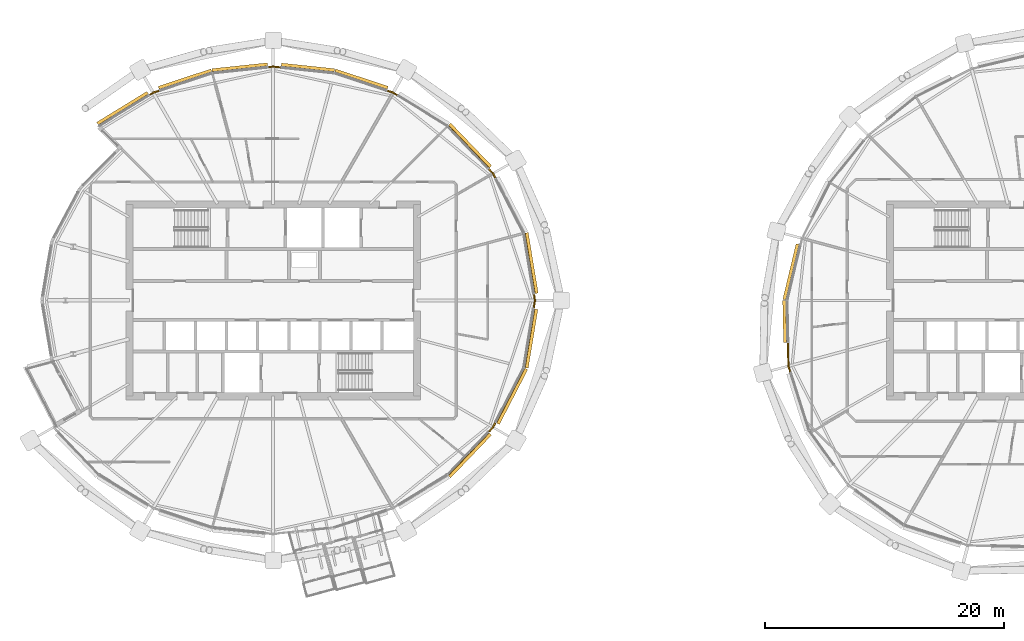
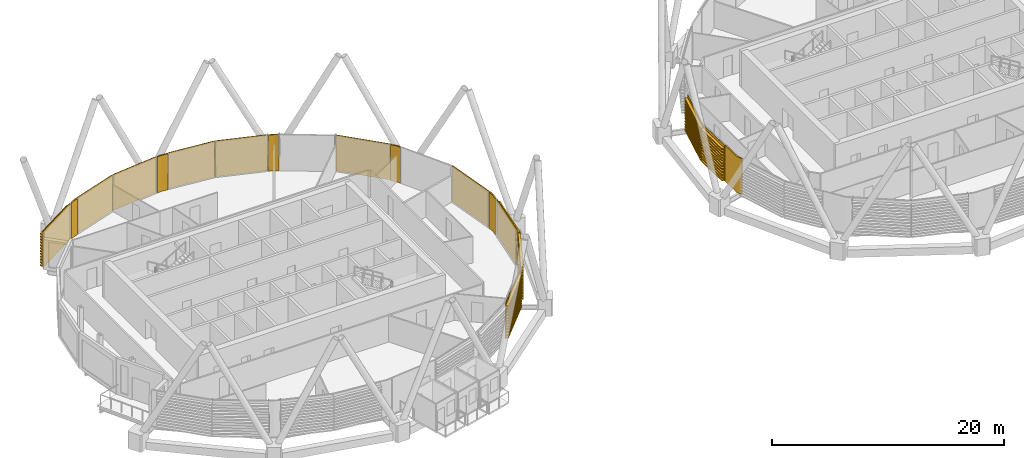
# One storey, part 32 of 35: 19 coverings.
"""IFC4 building model written with IfcOpenShell, lengths in metres."""

import ifcopenshell
import ifcopenshell.guid

model = None  # the IFC model being written
_history = None  # IfcOwnerHistory: only IFC2X3 demands one
_inside = {}  # id of a spatial element -> (the spatial element, [elements in it])
_under = {}  # id of a project, library or spatial element -> (it, [spatial elements below it])
_declared = {}  # id of a project -> (the project, [libraries it declares])
_typed = {}  # id of a type object -> (the type object, [elements of that type])
_made_of = {}  # id of a material, layer set ... -> (it, [elements and type objects made of it])


def new_model(schema):
    """Start an empty IFC model of exactly this schema.

    Asked for "IFC4X3", IfcOpenShell would pick the latest addendum, in which some entities
    have other attributes; the version numbers below select the first issue.
    IFC2X3 requires an IfcOwnerHistory on every rooted entity: one is made here for all.
    """
    global model, _history
    if schema == "IFC4X3":
        model = ifcopenshell.file(schema_version=(4, 3, 0, 0))
    else:
        model = ifcopenshell.file(schema=schema)
    _inside.clear()
    _under.clear()
    _declared.clear()
    _typed.clear()
    _made_of.clear()
    _history = None
    if model.schema == "IFC2X3":
        org = make("IfcOrganization", Name="unknown")
        user = make(
            "IfcPersonAndOrganization",
            ThePerson=make("IfcPerson", FamilyName="unknown"),
            TheOrganization=org,
        )
        app = make(
            "IfcApplication",
            ApplicationDeveloper=org,
            Version="unknown",
            ApplicationFullName="unknown",
            ApplicationIdentifier="unknown",
        )
        _history = make(
            "IfcOwnerHistory",
            OwningUser=user,
            OwningApplication=app,
            ChangeAction="ADDED",
            CreationDate=0,
        )
    return model


def make(cls, **values):
    """One entity of the class cls with the attributes given. An attribute that is None is left unset."""
    return model.create_entity(
        cls, **{name: value for name, value in values.items() if value is not None}
    )


def rooted(cls, **values):
    """An entity with a GlobalId (a new one), such as an element, a storey or a relation."""
    return make(cls, GlobalId=ifcopenshell.guid.new(), OwnerHistory=_history, **values)


def si_unit(unit_type, name, prefix=None):
    """IfcSIUnit, for example si_unit("LENGTHUNIT", "METRE", prefix="MILLI")."""
    return make("IfcSIUnit", UnitType=unit_type, Prefix=prefix, Name=name)


def assignment(units):
    """IfcUnitAssignment: the units of a project."""
    return None if units is None else make("IfcUnitAssignment", Units=units)


def point(xyz):
    """IfcCartesianPoint."""
    return None if xyz is None else make("IfcCartesianPoint", Coordinates=xyz)


def direction(xyz):
    """IfcDirection."""
    return None if xyz is None else make("IfcDirection", DirectionRatios=xyz)


def frame(location, z_axis=None, x_axis=None):
    """IfcAxis2Placement3D, a coordinate frame: its origin and axes. An axis left out is left unset."""
    return make(
        "IfcAxis2Placement3D",
        Location=point(location),
        Axis=direction(z_axis),
        RefDirection=direction(x_axis),
    )


def origin():
    """The frame at (0, 0, 0) with its axes left unset."""
    return frame((0.0, 0.0, 0.0))


def place(relative_to, where):
    """IfcLocalPlacement: puts the frame where relative to a parent placement (None: the world)."""
    return make(
        "IfcLocalPlacement", PlacementRelTo=relative_to, RelativePlacement=where
    )


def context(
    kind, dimensions, precision=None, world=None, true_north=None, identifier=None
):
    """IfcGeometricRepresentationContext, for example the 3D "Model" context."""
    return make(
        "IfcGeometricRepresentationContext",
        ContextIdentifier=identifier,
        ContextType=kind,
        CoordinateSpaceDimension=dimensions,
        Precision=precision,
        WorldCoordinateSystem=world,
        TrueNorth=true_north,
    )


def subcontext(parent, identifier, kind, view, scale=None):
    """IfcGeometricRepresentationSubContext, for example "Body" below "Model"."""
    return make(
        "IfcGeometricRepresentationSubContext",
        ContextIdentifier=identifier,
        ContextType=kind,
        ParentContext=parent,
        TargetScale=scale,
        TargetView=view,
    )


def project(units=None, contexts=None):
    """IfcProject with its units and contexts."""
    return rooted(
        "IfcProject",
        Name="project",
        RepresentationContexts=contexts,
        UnitsInContext=assignment(units),
    )


def spatial(cls, under=None, at=None, **own):
    """A site, building, storey or space (cls), placed at a placement, below another one or the project."""
    s = rooted(cls, ObjectPlacement=at, **own)
    if under is not None:
        _under.setdefault(under.id(), (under, []))[1].append(s)
    return s


def polyline(points):
    """IfcPolyline through the points."""
    return make("IfcPolyline", Points=[point(p) for p in points])


def outline(outer, holes=None, kind="AREA"):
    """IfcArbitraryClosedProfileDef: a profile drawn as a closed curve; with holes, ...WithVoids."""
    if holes is None:
        return make("IfcArbitraryClosedProfileDef", ProfileType=kind, OuterCurve=outer)
    return make(
        "IfcArbitraryProfileDefWithVoids",
        ProfileType=kind,
        OuterCurve=outer,
        InnerCurves=holes,
    )


def extrude(swept, where, along, depth):
    """IfcExtrudedAreaSolid: the profile swept, set in the frame where, extruded along a direction by depth."""
    return make(
        "IfcExtrudedAreaSolid",
        SweptArea=swept,
        Position=where,
        ExtrudedDirection=direction(along),
        Depth=depth,
    )


def shape(context_of_items, identifier, shape_type, items):
    """IfcShapeRepresentation: the items that make up one representation, for example the "Body"."""
    return make(
        "IfcShapeRepresentation",
        ContextOfItems=context_of_items,
        RepresentationIdentifier=identifier,
        RepresentationType=shape_type,
        Items=items,
    )


def material(Name=None, Category=None):
    """IfcMaterial."""
    return make("IfcMaterial", Name=Name, Category=Category)


def layer(
    of_material, thickness, ventilated=None, Name=None, Category=None, Priority=None
):
    """IfcMaterialLayer: one layer of a wall or slab, of a material (None: an air gap)."""
    return make(
        "IfcMaterialLayer",
        Material=of_material,
        LayerThickness=thickness,
        IsVentilated=ventilated,
        Name=Name,
        Category=Category,
        Priority=Priority,
    )


def layer_set(layers, Name=None):
    """IfcMaterialLayerSet."""
    return make("IfcMaterialLayerSet", MaterialLayers=layers, LayerSetName=Name)


def material_profile(
    of_material, cross_section, Name=None, Category=None, Priority=None
):
    """IfcMaterialProfile: a cross section and its material."""
    return make(
        "IfcMaterialProfile",
        Name=Name,
        Material=of_material,
        Profile=cross_section,
        Priority=Priority,
        Category=Category,
    )


def profile_set(profiles, Name=None, composite=None):
    """IfcMaterialProfileSet."""
    return make(
        "IfcMaterialProfileSet",
        Name=Name,
        MaterialProfiles=profiles,
        CompositeProfile=composite,
    )


def made_of(thing, what):
    """Note that an element or type object is made of a material, layer set ...; save() writes the relation."""
    if what is not None:
        _made_of.setdefault(what.id(), (what, []))[1].append(thing)
    return thing


def type_object(cls, material=None, **own):
    """A type object (cls), such as IfcWallType, which elements share."""
    return made_of(rooted(cls, **own), material)


def element(
    cls,
    number,
    at=None,
    inside=None,
    cuts=None,
    type_object=None,
    material=None,
    context=None,
    identifier="Body",
    shape_type=None,
    held_by="IfcProductDefinitionShape",
    body=None,
    shapes=None,
    **own,
):
    """One element of the class cls, such as IfcWall. Its Tag is "e" and its number.

    at: its placement. inside: the storey or other place that contains it. cuts: it is an
    opening in that element (IfcRelVoidsElement). A single representation is given by context,
    identifier, shape_type and body (its items); several are given by shapes. held_by: the class
    of the entity that holds the representations. save() writes the other relations.
    """
    e = rooted(cls, Tag="e%d" % number, ObjectPlacement=at, **own)
    if body is not None:
        shapes = [shape(context, identifier, shape_type, body)]
    if shapes is not None:
        e.Representation = make(held_by, Representations=shapes)
    if inside is not None:
        _inside.setdefault(inside.id(), (inside, []))[1].append(e)
    if cuts is not None:
        rooted(
            "IfcRelVoidsElement", RelatingBuildingElement=cuts, RelatedOpeningElement=e
        )
    if type_object is not None:
        _typed.setdefault(type_object.id(), (type_object, []))[1].append(e)
    return made_of(e, material)


def aggregate(whole, parts):
    """IfcRelAggregates: a whole, such as a stair, and the parts it consists of."""
    return rooted("IfcRelAggregates", RelatingObject=whole, RelatedObjects=parts)


def save(model, path):
    """Write the relations noted so far, then the file.

    IfcRelAggregates (storeys below a building ...), IfcRelContainedInSpatialStructure (elements
    in a storey), IfcRelDefinesByType, IfcRelAssociatesMaterial and IfcRelDeclares: one each for
    every whole, place, type object, material and project.
    """
    for whole, parts in _under.values():
        aggregate(whole, parts)
    for where, things in _inside.values():
        rooted(
            "IfcRelContainedInSpatialStructure",
            RelatedElements=things,
            RelatingStructure=where,
        )
    for kind, things in _typed.values():
        rooted("IfcRelDefinesByType", RelatedObjects=things, RelatingType=kind)
    for what, things in _made_of.values():
        rooted("IfcRelAssociatesMaterial", RelatedObjects=things, RelatingMaterial=what)
    for by, libraries in _declared.values():
        rooted("IfcRelDeclares", RelatingContext=by, RelatedDefinitions=libraries)
    model.write(path)


model = new_model("IFC4")

# Units and contexts
model_context = context("Model", 3, precision=1e-05, world=origin(), true_north=direction((0.0, 1.0)))
body_context = subcontext(model_context, "Body", "Model", "MODEL_VIEW")
ifc_project = project(units=[si_unit("LENGTHUNIT", "METRE"), si_unit("AREAUNIT", "SQUARE_METRE"), si_unit("VOLUMEUNIT", "CUBIC_METRE"), si_unit("PLANEANGLEUNIT", "RADIAN"), si_unit("MASSUNIT", "GRAM", prefix="KILO")], contexts=[model_context])

# Site, building, storey
site_placement = place(None, origin())
site = spatial("IfcSite", under=ifc_project, at=site_placement, CompositionType="ELEMENT")
building_placement = place(site_placement, origin())
building = spatial("IfcBuilding", under=site, at=building_placement, Name="Rimbun Link Towers", CompositionType="ELEMENT")
storey_placement = place(building_placement, frame((0.0, 0.0, 181.699951171875)))
storey = spatial("IfcBuildingStorey", under=building, at=storey_placement, Name="L44", CompositionType="ELEMENT", Elevation=181.699951171875)

# Coverings
ifc_material_1 = material(Name="Terracotta", Category="masonry")
ifc_layer = layer(ifc_material_1, 0.1201171875)
ifc_layer_set = layer_set([ifc_layer], Name="LINK PIER terracotta cladding 120")
covering_type_1 = type_object("IfcCoveringType", Name="LINK PIER terracotta cladding 120", PredefinedType="CLADDING", material=ifc_layer_set)
covering_1_placement = place(storey_placement, origin())
element("IfcCovering", 1, at=covering_1_placement, inside=storey, type_object=covering_type_1, Name="LINK PIER cladding", PredefinedType="CLADDING", context=body_context, shape_type="SweptSolid", body=[
    extrude(outline(polyline([(-10.033447265625, 0.51318359375), (-9.948974609375, 0.0), (-10.0576171875, -0.6611328125), (-9.939208984375, -0.6806640625), (-9.827392578125, 0.0), (-9.9150390625, 0.532470703125), (-10.033447265625, 0.51318359375)])), origin(), (0.0, 0.0, 1.0), 3.800048828125),
])
covering_2_placement = place(storey_placement, origin())
element("IfcCovering", 2, at=covering_2_placement, inside=storey, type_object=covering_type_1, Name="LINK PIER cladding", PredefinedType="CLADDING", context=body_context, shape_type="SweptSolid", body=[
    extrude(outline(polyline([(-13.802978515625, 10.945068359375), (-13.443115234375, 10.569580078125), (-13.25, 10.196533203125), (-13.143310546875, 10.251708984375), (-13.344482421875, 10.64013671875), (-13.71630859375, 11.028076171875), (-13.802978515625, 10.945068359375)])), origin(), (0.0, 0.0, 1.0), 3.800048828125),
])
covering_3_placement = place(storey_placement, origin())
element("IfcCovering", 3, at=covering_3_placement, inside=storey, type_object=covering_type_1, Name="LINK PIER cladding", PredefinedType="CLADDING", context=body_context, shape_type="SweptSolid", body=[
    extrude(outline(polyline([(-22.25439453125, 17.465087890625), (-21.760986328125, 17.301513671875), (-21.403076171875, 17.081787109375), (-21.340087890625, 17.18408203125), (-21.7099609375, 17.4111328125), (-22.216796875, 17.5791015625), (-22.25439453125, 17.465087890625)])), origin(), (0.0, 0.0, 1.0), 3.800048828125),
])
covering_4_placement = place(storey_placement, origin())
element("IfcCovering", 4, at=covering_4_placement, inside=storey, type_object=covering_type_1, Name="LINK PIER cladding", PredefinedType="CLADDING", context=body_context, shape_type="SweptSolid", body=[
    extrude(outline(polyline([(-32.167724609375, 19.421142578125), (-31.75, 19.465087890625), (-31.13330078125, 19.400146484375), (-31.120849609375, 19.51953125), (-31.75, 19.5859375), (-32.18017578125, 19.54052734375), (-32.167724609375, 19.421142578125)])), origin(), (0.0, 0.0, 1.0), 3.800048828125),
])
covering_5_placement = place(storey_placement, origin())
element("IfcCovering", 5, at=covering_5_placement, inside=storey, type_object=covering_type_1, Name="LINK PIER cladding", PredefinedType="CLADDING", context=body_context, shape_type="SweptSolid", body=[
    extrude(outline(polyline([(-42.054443359375, 17.10791015625), (-41.739013671875, 17.301513671875), (-41.24560546875, 17.465087890625), (-41.283203125, 17.5791015625), (-41.7900390625, 17.4111328125), (-42.1171875, 17.210205078125), (-42.054443359375, 17.10791015625)])), origin(), (0.0, 0.0, 1.0), 3.800048828125),
])
covering_6_placement = place(storey_placement, origin())
element("IfcCovering", 6, at=covering_6_placement, inside=storey, type_object=covering_type_1, Name="LINK PIER cladding", PredefinedType="CLADDING", context=body_context, shape_type="SweptSolid", body=[
    extrude(outline(polyline([(-13.25, -10.196533203125), (-13.443115234375, -10.569580078125), (-13.802978515625, -10.945068359375), (-13.71630859375, -11.028076171875), (-13.344482421875, -10.64013671875), (-13.143310546875, -10.251708984375), (-13.25, -10.196533203125)])), origin(), (0.0, 0.0, 1.0), 3.800048828125),
])
covering_7_placement = place(storey_placement, origin())
element("IfcCovering", 7, at=covering_7_placement, inside=storey, type_object=covering_type_1, Name="LINK PIER cladding", PredefinedType="CLADDING", context=body_context, shape_type="SweptSolid", body=[
    extrude(outline(polyline([(11.50390625, -6.014404296875), (11.331298828125, -5.47119140625), (11.290771484375, -3.551513671875), (11.170654296875, -3.55419921875), (11.211669921875, -5.490966796875), (11.3896484375, -6.05078125), (11.50390625, -6.014404296875)])), origin(), (0.0, 0.0, 1.0), 3.800048828125),
])
ifc_material_2 = material(Name="Terracotta", Category="masonry")
ifc_material_profile = material_profile(ifc_material_2, outline(polyline([(0.123046875, 0.0), (0.1630859375, 0.0), (0.1630859375, 0.10009765625), (0.423095703125, 0.10009765625), (0.423095703125, 0.219970703125), (0.1630859375, 0.219970703125), (0.1630859375, 0.39990234375), (0.423095703125, 0.39990234375), (0.423095703125, 0.52001953125), (0.1630859375, 0.52001953125), (0.1630859375, 0.699951171875), (0.423095703125, 0.699951171875), (0.423095703125, 0.820068359375), (0.1630859375, 0.820068359375), (0.1630859375, 1.0), (0.423095703125, 1.0), (0.423095703125, 1.1201171875), (0.1630859375, 1.1201171875), (0.1630859375, 1.300048828125), (0.423095703125, 1.300048828125), (0.423095703125, 1.419921875), (0.1630859375, 1.419921875), (0.1630859375, 1.60009765625), (0.423095703125, 1.60009765625), (0.423095703125, 1.719970703125), (0.1630859375, 1.719970703125), (0.1630859375, 1.89990234375), (0.423095703125, 1.89990234375), (0.423095703125, 2.02001953125), (0.1630859375, 2.02001953125), (0.1630859375, 2.199951171875), (0.423095703125, 2.199951171875), (0.423095703125, 2.320068359375), (0.1630859375, 2.320068359375), (0.1630859375, 2.5), (0.423095703125, 2.5), (0.423095703125, 2.6201171875), (0.1630859375, 2.6201171875), (0.1630859375, 2.800048828125), (0.423095703125, 2.800048828125), (0.423095703125, 2.919921875), (0.1630859375, 2.919921875), (0.1630859375, 3.10009765625), (0.423095703125, 3.10009765625), (0.423095703125, 3.219970703125), (0.1630859375, 3.219970703125), (0.1630859375, 3.39990234375), (0.423095703125, 3.39990234375), (0.423095703125, 3.52001953125), (0.1630859375, 3.52001953125), (0.1630859375, 3.800048828125), (0.123046875, 3.800048828125), (0.123046875, 0.0)])), Name="BAGUETTE 120X300")
ifc_profile_set = profile_set([ifc_material_profile], Name="Terracotta")
covering_type_2 = type_object("IfcCoveringType", Name="TERRACOTTA BAGUETTE 120X300 H3800", PredefinedType="CLADDING", material=ifc_profile_set)
covering_8_placement = place(storey_placement, frame((-10.868896484375, 5.594970703125, 0.0), z_axis=(0.162218048423, -0.98675493653, 0.0), x_axis=(0.98675493653, 0.162218048423, 0.0)))
element("IfcCovering", 8, at=covering_8_placement, inside=storey, type_object=covering_type_2, Name="TERRACOTTA BAGUETTE", PredefinedType="CLADDING", context=body_context, shape_type="SweptSolid", body=[
    extrude(outline(polyline([(0.123046875, 0.0), (0.1630859375, 0.0), (0.1630859375, 0.10009765625), (0.423095703125, 0.10009765625), (0.423095703125, 0.219970703125), (0.1630859375, 0.219970703125), (0.1630859375, 0.39990234375), (0.423095703125, 0.39990234375), (0.423095703125, 0.52001953125), (0.1630859375, 0.52001953125), (0.1630859375, 0.699951171875), (0.423095703125, 0.699951171875), (0.423095703125, 0.820068359375), (0.1630859375, 0.820068359375), (0.1630859375, 1.0), (0.423095703125, 1.0), (0.423095703125, 1.1201171875), (0.1630859375, 1.1201171875), (0.1630859375, 1.300048828125), (0.423095703125, 1.300048828125), (0.423095703125, 1.419921875), (0.1630859375, 1.419921875), (0.1630859375, 1.60009765625), (0.423095703125, 1.60009765625), (0.423095703125, 1.719970703125), (0.1630859375, 1.719970703125), (0.1630859375, 1.89990234375), (0.423095703125, 1.89990234375), (0.423095703125, 2.02001953125), (0.1630859375, 2.02001953125), (0.1630859375, 2.199951171875), (0.423095703125, 2.199951171875), (0.423095703125, 2.320068359375), (0.1630859375, 2.320068359375), (0.1630859375, 2.5), (0.423095703125, 2.5), (0.423095703125, 2.6201171875), (0.1630859375, 2.6201171875), (0.1630859375, 2.800048828125), (0.423095703125, 2.800048828125), (0.423095703125, 2.919921875), (0.1630859375, 2.919921875), (0.1630859375, 3.10009765625), (0.423095703125, 3.10009765625), (0.423095703125, 3.219970703125), (0.1630859375, 3.219970703125), (0.1630859375, 3.39990234375), (0.423095703125, 3.39990234375), (0.423095703125, 3.52001953125), (0.1630859375, 3.52001953125), (0.1630859375, 3.800048828125), (0.123046875, 3.800048828125), (0.123046875, 0.0)])), origin(), (0.0, 0.0, 1.0), 5.1201171875),
])
covering_9_placement = place(storey_placement, frame((-17.230224609375, 14.519775390625, 0.0), z_axis=(0.692045392542, -0.721853984308, 0.0), x_axis=(0.721853984308, 0.692045392542, 0.0)))
element("IfcCovering", 9, at=covering_9_placement, inside=storey, type_object=covering_type_2, Name="TERRACOTTA BAGUETTE", PredefinedType="CLADDING", context=body_context, shape_type="SweptSolid", body=[
    extrude(outline(polyline([(0.123046875, 0.0), (0.1630859375, 0.0), (0.1630859375, 0.10009765625), (0.423095703125, 0.10009765625), (0.423095703125, 0.219970703125), (0.1630859375, 0.219970703125), (0.1630859375, 0.39990234375), (0.423095703125, 0.39990234375), (0.423095703125, 0.52001953125), (0.1630859375, 0.52001953125), (0.1630859375, 0.699951171875), (0.423095703125, 0.699951171875), (0.423095703125, 0.820068359375), (0.1630859375, 0.820068359375), (0.1630859375, 1.0), (0.423095703125, 1.0), (0.423095703125, 1.1201171875), (0.1630859375, 1.1201171875), (0.1630859375, 1.300048828125), (0.423095703125, 1.300048828125), (0.423095703125, 1.419921875), (0.1630859375, 1.419921875), (0.1630859375, 1.60009765625), (0.423095703125, 1.60009765625), (0.423095703125, 1.719970703125), (0.1630859375, 1.719970703125), (0.1630859375, 1.89990234375), (0.423095703125, 1.89990234375), (0.423095703125, 2.02001953125), (0.1630859375, 2.02001953125), (0.1630859375, 2.199951171875), (0.423095703125, 2.199951171875), (0.423095703125, 2.320068359375), (0.1630859375, 2.320068359375), (0.1630859375, 2.5), (0.423095703125, 2.5), (0.423095703125, 2.6201171875), (0.1630859375, 2.6201171875), (0.1630859375, 2.800048828125), (0.423095703125, 2.800048828125), (0.423095703125, 2.919921875), (0.1630859375, 2.919921875), (0.1630859375, 3.10009765625), (0.423095703125, 3.10009765625), (0.423095703125, 3.219970703125), (0.1630859375, 3.219970703125), (0.1630859375, 3.39990234375), (0.423095703125, 3.39990234375), (0.423095703125, 3.52001953125), (0.1630859375, 3.52001953125), (0.1630859375, 3.800048828125), (0.123046875, 3.800048828125), (0.123046875, 0.0)])), origin(), (0.0, 0.0, 1.0), 4.92236328125),
])
covering_10_placement = place(storey_placement, frame((-26.677490234375, 18.930908203125, 0.0), z_axis=(0.949235564432, -0.314566118991, 0.0), x_axis=(0.314566118991, 0.949235564432, 0.0)))
element("IfcCovering", 10, at=covering_10_placement, inside=storey, type_object=covering_type_2, Name="TERRACOTTA BAGUETTE", PredefinedType="CLADDING", context=body_context, shape_type="SweptSolid", body=[
    extrude(outline(polyline([(0.123046875, 0.0), (0.1630859375, 0.0), (0.1630859375, 0.10009765625), (0.423095703125, 0.10009765625), (0.423095703125, 0.219970703125), (0.1630859375, 0.219970703125), (0.1630859375, 0.39990234375), (0.423095703125, 0.39990234375), (0.423095703125, 0.52001953125), (0.1630859375, 0.52001953125), (0.1630859375, 0.699951171875), (0.423095703125, 0.699951171875), (0.423095703125, 0.820068359375), (0.1630859375, 0.820068359375), (0.1630859375, 1.0), (0.423095703125, 1.0), (0.423095703125, 1.1201171875), (0.1630859375, 1.1201171875), (0.1630859375, 1.300048828125), (0.423095703125, 1.300048828125), (0.423095703125, 1.419921875), (0.1630859375, 1.419921875), (0.1630859375, 1.60009765625), (0.423095703125, 1.60009765625), (0.423095703125, 1.719970703125), (0.1630859375, 1.719970703125), (0.1630859375, 1.89990234375), (0.423095703125, 1.89990234375), (0.423095703125, 2.02001953125), (0.1630859375, 2.02001953125), (0.1630859375, 2.199951171875), (0.423095703125, 2.199951171875), (0.423095703125, 2.320068359375), (0.1630859375, 2.320068359375), (0.1630859375, 2.5), (0.423095703125, 2.5), (0.423095703125, 2.6201171875), (0.1630859375, 2.6201171875), (0.1630859375, 2.800048828125), (0.423095703125, 2.800048828125), (0.423095703125, 2.919921875), (0.1630859375, 2.919921875), (0.1630859375, 3.10009765625), (0.423095703125, 3.10009765625), (0.423095703125, 3.219970703125), (0.1630859375, 3.219970703125), (0.1630859375, 3.39990234375), (0.423095703125, 3.39990234375), (0.423095703125, 3.52001953125), (0.1630859375, 3.52001953125), (0.1630859375, 3.800048828125), (0.123046875, 3.800048828125), (0.123046875, 0.0)])), origin(), (0.0, 0.0, 1.0), 4.629638671875),
])
covering_11_placement = place(storey_placement, frame((-31.103515625, 19.397216796875, 0.0), z_axis=(0.994495830027, -0.104776161694, 0.0), x_axis=(0.104776161694, 0.994495830027, 0.0)))
element("IfcCovering", 11, at=covering_11_placement, inside=storey, type_object=covering_type_2, Name="TERRACOTTA BAGUETTE", PredefinedType="CLADDING", context=body_context, shape_type="SweptSolid", body=[
    extrude(outline(polyline([(0.123046875, 0.0), (0.1630859375, 0.0), (0.1630859375, 0.10009765625), (0.423095703125, 0.10009765625), (0.423095703125, 0.219970703125), (0.1630859375, 0.219970703125), (0.1630859375, 0.39990234375), (0.423095703125, 0.39990234375), (0.423095703125, 0.52001953125), (0.1630859375, 0.52001953125), (0.1630859375, 0.699951171875), (0.423095703125, 0.699951171875), (0.423095703125, 0.820068359375), (0.1630859375, 0.820068359375), (0.1630859375, 1.0), (0.423095703125, 1.0), (0.423095703125, 1.1201171875), (0.1630859375, 1.1201171875), (0.1630859375, 1.300048828125), (0.423095703125, 1.300048828125), (0.423095703125, 1.419921875), (0.1630859375, 1.419921875), (0.1630859375, 1.60009765625), (0.423095703125, 1.60009765625), (0.423095703125, 1.719970703125), (0.1630859375, 1.719970703125), (0.1630859375, 1.89990234375), (0.423095703125, 1.89990234375), (0.423095703125, 2.02001953125), (0.1630859375, 2.02001953125), (0.1630859375, 2.199951171875), (0.423095703125, 2.199951171875), (0.423095703125, 2.320068359375), (0.1630859375, 2.320068359375), (0.1630859375, 2.5), (0.423095703125, 2.5), (0.423095703125, 2.6201171875), (0.1630859375, 2.6201171875), (0.1630859375, 2.800048828125), (0.423095703125, 2.800048828125), (0.423095703125, 2.919921875), (0.1630859375, 2.919921875), (0.1630859375, 3.10009765625), (0.423095703125, 3.10009765625), (0.423095703125, 3.219970703125), (0.1630859375, 3.219970703125), (0.1630859375, 3.39990234375), (0.423095703125, 3.39990234375), (0.423095703125, 3.52001953125), (0.1630859375, 3.52001953125), (0.1630859375, 3.800048828125), (0.123046875, 3.800048828125), (0.123046875, 0.0)])), origin(), (0.0, 0.0, 1.0), 4.450439453125),
])
covering_12_placement = place(storey_placement, frame((-36.822509765625, 18.930908203125, 0.0), z_axis=(0.994500561718, 0.104731240531, 0.0), x_axis=(-0.104731240531, 0.994500561718, 0.0)))
element("IfcCovering", 12, at=covering_12_placement, inside=storey, type_object=covering_type_2, Name="TERRACOTTA BAGUETTE", PredefinedType="CLADDING", context=body_context, shape_type="SweptSolid", body=[
    extrude(outline(polyline([(0.123046875, 0.0), (0.1630859375, 0.0), (0.1630859375, 0.10009765625), (0.423095703125, 0.10009765625), (0.423095703125, 0.219970703125), (0.1630859375, 0.219970703125), (0.1630859375, 0.39990234375), (0.423095703125, 0.39990234375), (0.423095703125, 0.52001953125), (0.1630859375, 0.52001953125), (0.1630859375, 0.699951171875), (0.423095703125, 0.699951171875), (0.423095703125, 0.820068359375), (0.1630859375, 0.820068359375), (0.1630859375, 1.0), (0.423095703125, 1.0), (0.423095703125, 1.1201171875), (0.1630859375, 1.1201171875), (0.1630859375, 1.300048828125), (0.423095703125, 1.300048828125), (0.423095703125, 1.419921875), (0.1630859375, 1.419921875), (0.1630859375, 1.60009765625), (0.423095703125, 1.60009765625), (0.423095703125, 1.719970703125), (0.1630859375, 1.719970703125), (0.1630859375, 1.89990234375), (0.423095703125, 1.89990234375), (0.423095703125, 2.02001953125), (0.1630859375, 2.02001953125), (0.1630859375, 2.199951171875), (0.423095703125, 2.199951171875), (0.423095703125, 2.320068359375), (0.1630859375, 2.320068359375), (0.1630859375, 2.5), (0.423095703125, 2.5), (0.423095703125, 2.6201171875), (0.1630859375, 2.6201171875), (0.1630859375, 2.800048828125), (0.423095703125, 2.800048828125), (0.423095703125, 2.919921875), (0.1630859375, 2.919921875), (0.1630859375, 3.10009765625), (0.423095703125, 3.10009765625), (0.423095703125, 3.219970703125), (0.1630859375, 3.219970703125), (0.1630859375, 3.39990234375), (0.423095703125, 3.39990234375), (0.423095703125, 3.52001953125), (0.1630859375, 3.52001953125), (0.1630859375, 3.800048828125), (0.123046875, 3.800048828125), (0.123046875, 0.0)])), origin(), (0.0, 0.0, 1.0), 4.650634765625),
])
covering_13_placement = place(storey_placement, frame((-41.217041015625, 17.474609375, 0.0), z_axis=(0.949235564432, 0.314566118991, 0.0), x_axis=(-0.314566118991, 0.949235564432, 0.0)))
element("IfcCovering", 13, at=covering_13_placement, inside=storey, type_object=covering_type_2, Name="TERRACOTTA BAGUETTE", PredefinedType="CLADDING", context=body_context, shape_type="SweptSolid", body=[
    extrude(outline(polyline([(0.123046875, 0.0), (0.1630859375, 0.0), (0.1630859375, 0.10009765625), (0.423095703125, 0.10009765625), (0.423095703125, 0.219970703125), (0.1630859375, 0.219970703125), (0.1630859375, 0.39990234375), (0.423095703125, 0.39990234375), (0.423095703125, 0.52001953125), (0.1630859375, 0.52001953125), (0.1630859375, 0.699951171875), (0.423095703125, 0.699951171875), (0.423095703125, 0.820068359375), (0.1630859375, 0.820068359375), (0.1630859375, 1.0), (0.423095703125, 1.0), (0.423095703125, 1.1201171875), (0.1630859375, 1.1201171875), (0.1630859375, 1.300048828125), (0.423095703125, 1.300048828125), (0.423095703125, 1.419921875), (0.1630859375, 1.419921875), (0.1630859375, 1.60009765625), (0.423095703125, 1.60009765625), (0.423095703125, 1.719970703125), (0.1630859375, 1.719970703125), (0.1630859375, 1.89990234375), (0.423095703125, 1.89990234375), (0.423095703125, 2.02001953125), (0.1630859375, 2.02001953125), (0.1630859375, 2.199951171875), (0.423095703125, 2.199951171875), (0.423095703125, 2.320068359375), (0.1630859375, 2.320068359375), (0.1630859375, 2.5), (0.423095703125, 2.5), (0.423095703125, 2.6201171875), (0.1630859375, 2.6201171875), (0.1630859375, 2.800048828125), (0.423095703125, 2.800048828125), (0.423095703125, 2.919921875), (0.1630859375, 2.919921875), (0.1630859375, 3.10009765625), (0.423095703125, 3.10009765625), (0.423095703125, 3.219970703125), (0.1630859375, 3.219970703125), (0.1630859375, 3.39990234375), (0.423095703125, 3.39990234375), (0.423095703125, 3.52001953125), (0.1630859375, 3.52001953125), (0.1630859375, 3.800048828125), (0.123046875, 3.800048828125), (0.123046875, 0.0)])), origin(), (0.0, 0.0, 1.0), 4.629638671875),
])
covering_14_placement = place(storey_placement, frame((-46.269775390625, 14.519775390625, 0.0), z_axis=(0.852181325873, 0.523246584158, 0.0), x_axis=(-0.523246584158, 0.852181325873, 0.0)))
element("IfcCovering", 14, at=covering_14_placement, inside=storey, type_object=covering_type_2, Name="TERRACOTTA BAGUETTE", PredefinedType="CLADDING", context=body_context, shape_type="SweptSolid", body=[
    extrude(outline(polyline([(0.123046875, 0.0), (0.1630859375, 0.0), (0.1630859375, 0.10009765625), (0.423095703125, 0.10009765625), (0.423095703125, 0.219970703125), (0.1630859375, 0.219970703125), (0.1630859375, 0.39990234375), (0.423095703125, 0.39990234375), (0.423095703125, 0.52001953125), (0.1630859375, 0.52001953125), (0.1630859375, 0.699951171875), (0.423095703125, 0.699951171875), (0.423095703125, 0.820068359375), (0.1630859375, 0.820068359375), (0.1630859375, 1.0), (0.423095703125, 1.0), (0.423095703125, 1.1201171875), (0.1630859375, 1.1201171875), (0.1630859375, 1.300048828125), (0.423095703125, 1.300048828125), (0.423095703125, 1.419921875), (0.1630859375, 1.419921875), (0.1630859375, 1.60009765625), (0.423095703125, 1.60009765625), (0.423095703125, 1.719970703125), (0.1630859375, 1.719970703125), (0.1630859375, 1.89990234375), (0.423095703125, 1.89990234375), (0.423095703125, 2.02001953125), (0.1630859375, 2.02001953125), (0.1630859375, 2.199951171875), (0.423095703125, 2.199951171875), (0.423095703125, 2.320068359375), (0.1630859375, 2.320068359375), (0.1630859375, 2.5), (0.423095703125, 2.5), (0.423095703125, 2.6201171875), (0.1630859375, 2.6201171875), (0.1630859375, 2.800048828125), (0.423095703125, 2.800048828125), (0.423095703125, 2.919921875), (0.1630859375, 2.919921875), (0.1630859375, 3.10009765625), (0.423095703125, 3.10009765625), (0.423095703125, 3.219970703125), (0.1630859375, 3.219970703125), (0.1630859375, 3.39990234375), (0.423095703125, 3.39990234375), (0.423095703125, 3.52001953125), (0.1630859375, 3.52001953125), (0.1630859375, 3.800048828125), (0.123046875, 3.800048828125), (0.123046875, 0.0)])), origin(), (0.0, 0.0, 1.0), 4.91650390625),
])
covering_15_placement = place(storey_placement, frame((-13.82373046875, -10.966552734375, 0.0), z_axis=(-0.692045392542, -0.721853984308, 0.0), x_axis=(0.721853984308, -0.692045392542, 0.0)))
element("IfcCovering", 15, at=covering_15_placement, inside=storey, type_object=covering_type_2, Name="TERRACOTTA BAGUETTE", PredefinedType="CLADDING", context=body_context, shape_type="SweptSolid", body=[
    extrude(outline(polyline([(0.123046875, 0.0), (0.1630859375, 0.0), (0.1630859375, 0.10009765625), (0.423095703125, 0.10009765625), (0.423095703125, 0.219970703125), (0.1630859375, 0.219970703125), (0.1630859375, 0.39990234375), (0.423095703125, 0.39990234375), (0.423095703125, 0.52001953125), (0.1630859375, 0.52001953125), (0.1630859375, 0.699951171875), (0.423095703125, 0.699951171875), (0.423095703125, 0.820068359375), (0.1630859375, 0.820068359375), (0.1630859375, 1.0), (0.423095703125, 1.0), (0.423095703125, 1.1201171875), (0.1630859375, 1.1201171875), (0.1630859375, 1.300048828125), (0.423095703125, 1.300048828125), (0.423095703125, 1.419921875), (0.1630859375, 1.419921875), (0.1630859375, 1.60009765625), (0.423095703125, 1.60009765625), (0.423095703125, 1.719970703125), (0.1630859375, 1.719970703125), (0.1630859375, 1.89990234375), (0.423095703125, 1.89990234375), (0.423095703125, 2.02001953125), (0.1630859375, 2.02001953125), (0.1630859375, 2.199951171875), (0.423095703125, 2.199951171875), (0.423095703125, 2.320068359375), (0.1630859375, 2.320068359375), (0.1630859375, 2.5), (0.423095703125, 2.5), (0.423095703125, 2.6201171875), (0.1630859375, 2.6201171875), (0.1630859375, 2.800048828125), (0.423095703125, 2.800048828125), (0.423095703125, 2.919921875), (0.1630859375, 2.919921875), (0.1630859375, 3.10009765625), (0.423095703125, 3.10009765625), (0.423095703125, 3.219970703125), (0.1630859375, 3.219970703125), (0.1630859375, 3.39990234375), (0.423095703125, 3.39990234375), (0.423095703125, 3.52001953125), (0.1630859375, 3.52001953125), (0.1630859375, 3.800048828125), (0.123046875, 3.800048828125), (0.123046875, 0.0)])), origin(), (0.0, 0.0, 1.0), 4.92236328125),
])
covering_16_placement = place(storey_placement, frame((-10.868896484375, -5.594970703125, 0.0), z_axis=(-0.459550562914, -0.88815160875, 0.0), x_axis=(0.88815160875, -0.459550562914, 0.0)))
element("IfcCovering", 16, at=covering_16_placement, inside=storey, type_object=covering_type_2, Name="TERRACOTTA BAGUETTE", PredefinedType="CLADDING", context=body_context, shape_type="SweptSolid", body=[
    extrude(outline(polyline([(0.123046875, 0.0), (0.1630859375, 0.0), (0.1630859375, 0.10009765625), (0.423095703125, 0.10009765625), (0.423095703125, 0.219970703125), (0.1630859375, 0.219970703125), (0.1630859375, 0.39990234375), (0.423095703125, 0.39990234375), (0.423095703125, 0.52001953125), (0.1630859375, 0.52001953125), (0.1630859375, 0.699951171875), (0.423095703125, 0.699951171875), (0.423095703125, 0.820068359375), (0.1630859375, 0.820068359375), (0.1630859375, 1.0), (0.423095703125, 1.0), (0.423095703125, 1.1201171875), (0.1630859375, 1.1201171875), (0.1630859375, 1.300048828125), (0.423095703125, 1.300048828125), (0.423095703125, 1.419921875), (0.1630859375, 1.419921875), (0.1630859375, 1.60009765625), (0.423095703125, 1.60009765625), (0.423095703125, 1.719970703125), (0.1630859375, 1.719970703125), (0.1630859375, 1.89990234375), (0.423095703125, 1.89990234375), (0.423095703125, 2.02001953125), (0.1630859375, 2.02001953125), (0.1630859375, 2.199951171875), (0.423095703125, 2.199951171875), (0.423095703125, 2.320068359375), (0.1630859375, 2.320068359375), (0.1630859375, 2.5), (0.423095703125, 2.5), (0.423095703125, 2.6201171875), (0.1630859375, 2.6201171875), (0.1630859375, 2.800048828125), (0.423095703125, 2.800048828125), (0.423095703125, 2.919921875), (0.1630859375, 2.919921875), (0.1630859375, 3.10009765625), (0.423095703125, 3.10009765625), (0.423095703125, 3.219970703125), (0.1630859375, 3.219970703125), (0.1630859375, 3.39990234375), (0.423095703125, 3.39990234375), (0.423095703125, 3.52001953125), (0.1630859375, 3.52001953125), (0.1630859375, 3.800048828125), (0.123046875, 3.800048828125), (0.123046875, 0.0)])), origin(), (0.0, 0.0, 1.0), 5.151123046875),
])
covering_17_placement = place(storey_placement, frame((-10.0625, -0.690673828125, 0.0), z_axis=(-0.162247877184, -0.986750032353, 0.0), x_axis=(0.986750032353, -0.162247877184, 0.0)))
element("IfcCovering", 17, at=covering_17_placement, inside=storey, type_object=covering_type_2, Name="TERRACOTTA BAGUETTE", PredefinedType="CLADDING", context=body_context, shape_type="SweptSolid", body=[
    extrude(outline(polyline([(0.123046875, 0.0), (0.1630859375, 0.0), (0.1630859375, 0.10009765625), (0.423095703125, 0.10009765625), (0.423095703125, 0.219970703125), (0.1630859375, 0.219970703125), (0.1630859375, 0.39990234375), (0.423095703125, 0.39990234375), (0.423095703125, 0.52001953125), (0.1630859375, 0.52001953125), (0.1630859375, 0.699951171875), (0.423095703125, 0.699951171875), (0.423095703125, 0.820068359375), (0.1630859375, 0.820068359375), (0.1630859375, 1.0), (0.423095703125, 1.0), (0.423095703125, 1.1201171875), (0.1630859375, 1.1201171875), (0.1630859375, 1.300048828125), (0.423095703125, 1.300048828125), (0.423095703125, 1.419921875), (0.1630859375, 1.419921875), (0.1630859375, 1.60009765625), (0.423095703125, 1.60009765625), (0.423095703125, 1.719970703125), (0.1630859375, 1.719970703125), (0.1630859375, 1.89990234375), (0.423095703125, 1.89990234375), (0.423095703125, 2.02001953125), (0.1630859375, 2.02001953125), (0.1630859375, 2.199951171875), (0.423095703125, 2.199951171875), (0.423095703125, 2.320068359375), (0.1630859375, 2.320068359375), (0.1630859375, 2.5), (0.423095703125, 2.5), (0.423095703125, 2.6201171875), (0.1630859375, 2.6201171875), (0.1630859375, 2.800048828125), (0.423095703125, 2.800048828125), (0.423095703125, 2.919921875), (0.1630859375, 2.919921875), (0.1630859375, 3.10009765625), (0.423095703125, 3.10009765625), (0.423095703125, 3.219970703125), (0.1630859375, 3.219970703125), (0.1630859375, 3.39990234375), (0.423095703125, 3.39990234375), (0.423095703125, 3.52001953125), (0.1630859375, 3.52001953125), (0.1630859375, 3.800048828125), (0.123046875, 3.800048828125), (0.123046875, 0.0)])), origin(), (0.0, 0.0, 1.0), 4.97021484375),
])
covering_18_placement = place(storey_placement, frame((11.2158203125, 0.0, 0.0), z_axis=(0.232592171851, 0.972574357874, 0.0), x_axis=(-0.972574357874, 0.232592171851, 0.0)))
element("IfcCovering", 18, at=covering_18_placement, inside=storey, type_object=covering_type_2, Name="TERRACOTTA BAGUETTE", PredefinedType="CLADDING", context=body_context, shape_type="SweptSolid", body=[
    extrude(outline(polyline([(0.123046875, 0.0), (0.1630859375, 0.0), (0.1630859375, 0.10009765625), (0.423095703125, 0.10009765625), (0.423095703125, 0.219970703125), (0.1630859375, 0.219970703125), (0.1630859375, 0.39990234375), (0.423095703125, 0.39990234375), (0.423095703125, 0.52001953125), (0.1630859375, 0.52001953125), (0.1630859375, 0.699951171875), (0.423095703125, 0.699951171875), (0.423095703125, 0.820068359375), (0.1630859375, 0.820068359375), (0.1630859375, 1.0), (0.423095703125, 1.0), (0.423095703125, 1.1201171875), (0.1630859375, 1.1201171875), (0.1630859375, 1.300048828125), (0.423095703125, 1.300048828125), (0.423095703125, 1.419921875), (0.1630859375, 1.419921875), (0.1630859375, 1.60009765625), (0.423095703125, 1.60009765625), (0.423095703125, 1.719970703125), (0.1630859375, 1.719970703125), (0.1630859375, 1.89990234375), (0.423095703125, 1.89990234375), (0.423095703125, 2.02001953125), (0.1630859375, 2.02001953125), (0.1630859375, 2.199951171875), (0.423095703125, 2.199951171875), (0.423095703125, 2.320068359375), (0.1630859375, 2.320068359375), (0.1630859375, 2.5), (0.423095703125, 2.5), (0.423095703125, 2.6201171875), (0.1630859375, 2.6201171875), (0.1630859375, 2.800048828125), (0.423095703125, 2.800048828125), (0.423095703125, 2.919921875), (0.1630859375, 2.919921875), (0.1630859375, 3.10009765625), (0.423095703125, 3.10009765625), (0.423095703125, 3.219970703125), (0.1630859375, 3.219970703125), (0.1630859375, 3.39990234375), (0.423095703125, 3.39990234375), (0.423095703125, 3.52001953125), (0.1630859375, 3.52001953125), (0.1630859375, 3.800048828125), (0.123046875, 3.800048828125), (0.123046875, 0.0)])), origin(), (0.0, 0.0, 1.0), 4.766357421875),
])
covering_19_placement = place(storey_placement, frame((11.2900390625, -3.521728515625, 0.0), z_axis=(-0.021069844983, 0.999778006176, 0.0), x_axis=(-0.999778006176, -0.021069844983, 0.0)))
element("IfcCovering", 19, at=covering_19_placement, inside=storey, type_object=covering_type_2, Name="TERRACOTTA BAGUETTE", PredefinedType="CLADDING", context=body_context, shape_type="SweptSolid", body=[
    extrude(outline(polyline([(0.123046875, 0.0), (0.1630859375, 0.0), (0.1630859375, 0.10009765625), (0.423095703125, 0.10009765625), (0.423095703125, 0.219970703125), (0.1630859375, 0.219970703125), (0.1630859375, 0.39990234375), (0.423095703125, 0.39990234375), (0.423095703125, 0.52001953125), (0.1630859375, 0.52001953125), (0.1630859375, 0.699951171875), (0.423095703125, 0.699951171875), (0.423095703125, 0.820068359375), (0.1630859375, 0.820068359375), (0.1630859375, 1.0), (0.423095703125, 1.0), (0.423095703125, 1.1201171875), (0.1630859375, 1.1201171875), (0.1630859375, 1.300048828125), (0.423095703125, 1.300048828125), (0.423095703125, 1.419921875), (0.1630859375, 1.419921875), (0.1630859375, 1.60009765625), (0.423095703125, 1.60009765625), (0.423095703125, 1.719970703125), (0.1630859375, 1.719970703125), (0.1630859375, 1.89990234375), (0.423095703125, 1.89990234375), (0.423095703125, 2.02001953125), (0.1630859375, 2.02001953125), (0.1630859375, 2.199951171875), (0.423095703125, 2.199951171875), (0.423095703125, 2.320068359375), (0.1630859375, 2.320068359375), (0.1630859375, 2.5), (0.423095703125, 2.5), (0.423095703125, 2.6201171875), (0.1630859375, 2.6201171875), (0.1630859375, 2.800048828125), (0.423095703125, 2.800048828125), (0.423095703125, 2.919921875), (0.1630859375, 2.919921875), (0.1630859375, 3.10009765625), (0.423095703125, 3.10009765625), (0.423095703125, 3.219970703125), (0.1630859375, 3.219970703125), (0.1630859375, 3.39990234375), (0.423095703125, 3.39990234375), (0.423095703125, 3.52001953125), (0.1630859375, 3.52001953125), (0.1630859375, 3.800048828125), (0.123046875, 3.800048828125), (0.123046875, 0.0)])), origin(), (0.0, 0.0, 1.0), 3.5224609375),
])

save(model, "model.ifc")
